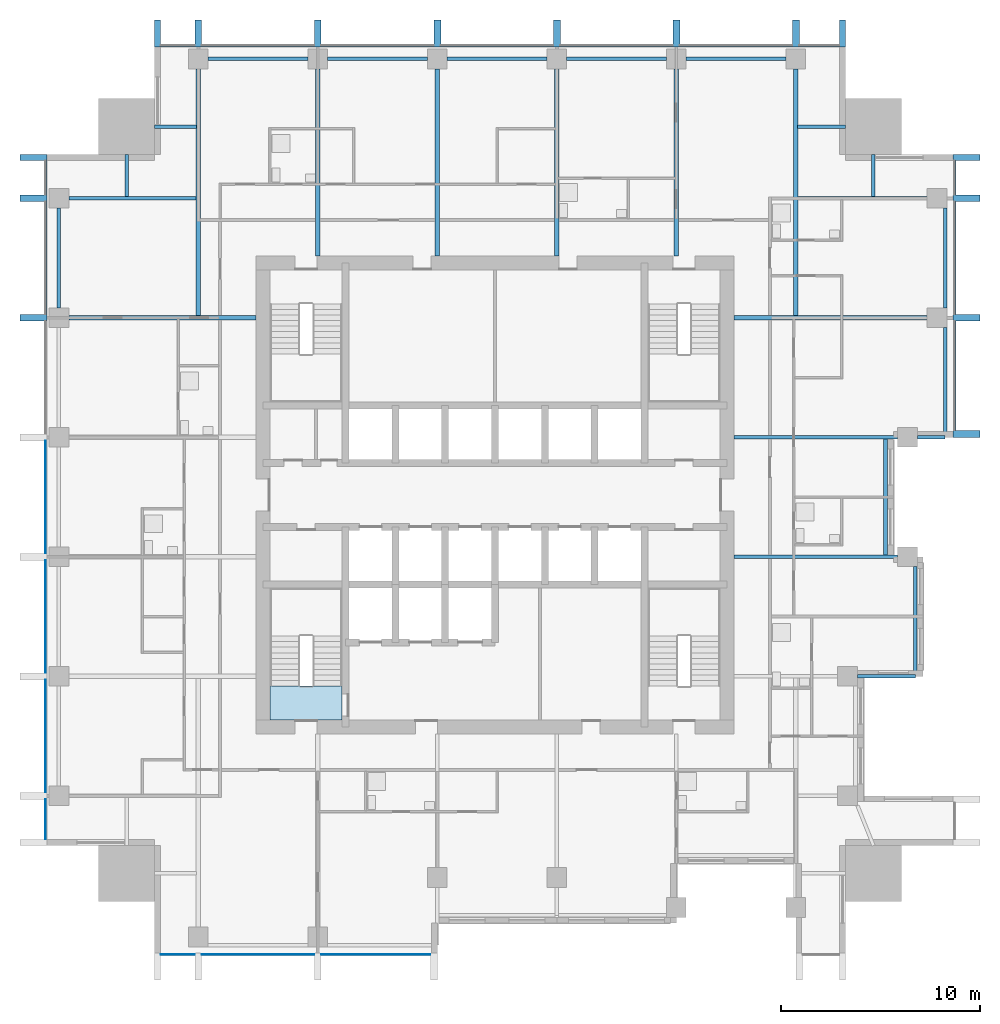
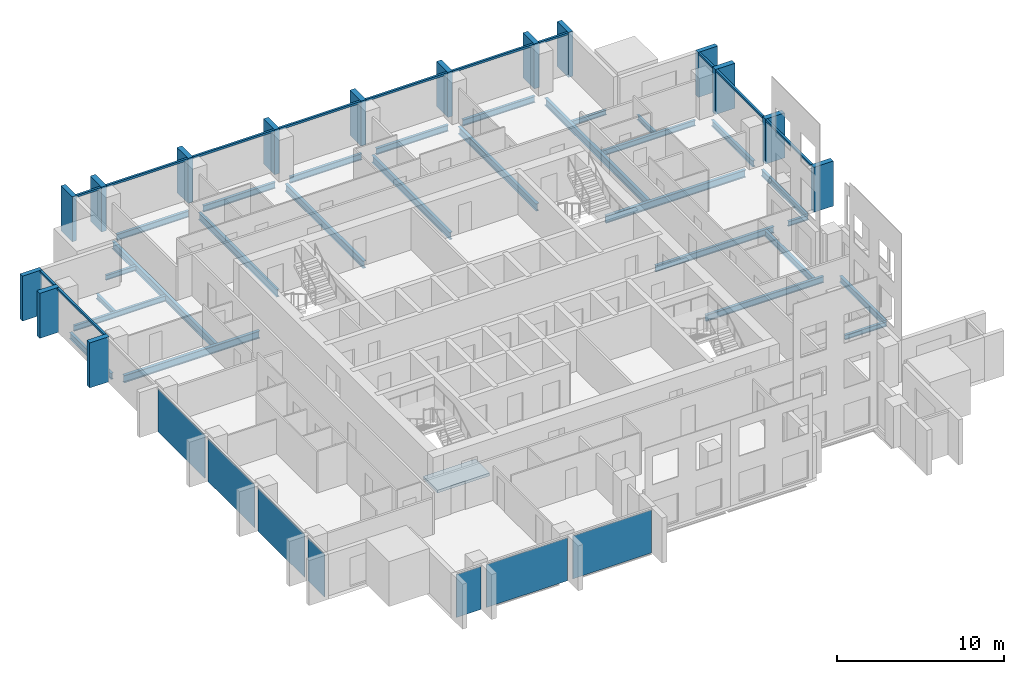
# One storey, part 2 of 11: 28 beams, 27 members, 7 plates, 1 slab, 5 elements without a shape of their own.
"""IFC4 building model written with IfcOpenShell, lengths in metres."""

from ifc_helpers import new_model, si_unit, direction, frame, origin, origin_2d, place, context, subcontext, project, spatial, polyline, rectangle, i_section, outline, extrude, material, layer, layer_set, material_profile, profile_set, type_object, element, aggregate, save


model = new_model("IFC4")

# Units and contexts
model_context = context("Model", 3, precision=1e-05, world=origin(), true_north=direction((0.0, 1.0)))
body_context = subcontext(model_context, "Body", "Model", "MODEL_VIEW")
ifc_project = project(units=[si_unit("LENGTHUNIT", "METRE"), si_unit("AREAUNIT", "SQUARE_METRE"), si_unit("VOLUMEUNIT", "CUBIC_METRE"), si_unit("PLANEANGLEUNIT", "RADIAN"), si_unit("MASSUNIT", "GRAM", prefix="KILO")], contexts=[model_context])

# Site, building, storey
site_placement = place(None, origin())
site = spatial("IfcSite", under=ifc_project, at=site_placement, CompositionType="ELEMENT")
building_placement = place(site_placement, origin())
building = spatial("IfcBuilding", under=site, at=building_placement, Name="Amberfall Residences", CompositionType="ELEMENT")
storey_placement = place(building_placement, frame((0.0, 0.0, 143.800048828125)))
storey = spatial("IfcBuildingStorey", under=building, at=storey_placement, Name="L38", CompositionType="ELEMENT", Elevation=143.800048828125)

# Curtain wall, members
ifc_material_1 = material(Name="Bronze anodised aluminium and glass", Category="aluminium")
curtain_wall_type = type_object("IfcCurtainWallType", Name="Curtain wall CW1 tower unit", PredefinedType="USERDEFINED", material=ifc_material_1)
curtain_wall_1_placement = place(storey_placement, origin())
curtain_wall_1 = element("IfcCurtainWall", 1, at=curtain_wall_1_placement, inside=storey, type_object=curtain_wall_type, Name="Curtain wall L38 E E9", ObjectType="UNITISED CURTAIN WALL", PredefinedType="USERDEFINED")
ifc_material_2 = material(Name="Bronze anodised aluminium", Category="aluminium")
ifc_material_profile_1 = material_profile(ifc_material_2, rectangle(XDim=0.14990234375, YDim=0.14990234375, at=origin_2d()), Name="CW1 transom 150 x 150 bronze")
ifc_profile_set_1 = profile_set([ifc_material_profile_1], Name="Bronze anodised aluminium")
member_type_1 = type_object("IfcMemberType", Name="CW1 transom 150 x 150 bronze", PredefinedType="USERDEFINED", material=ifc_profile_set_1)
member_1_placement = place(storey_placement, frame((97.574951171875, 48.75, 2.974853515625), z_axis=(0.0, 1.0, 0.0), x_axis=(-1.0, 0.0, 0.0)))
member_1 = element("IfcMember", 2, at=member_1_placement, type_object=member_type_1, Name="CW1 transom 1.1", ObjectType="TRANSOM", PredefinedType="USERDEFINED", context=body_context, shape_type="SweptSolid", body=[
    extrude(rectangle(XDim=0.14990234375, YDim=0.14990234375, at=origin_2d()), origin(), (0.0, 0.0, 1.0), 5.47509765625),
])
member_2_placement = place(storey_placement, frame((97.574951171875, 54.574951171875, 2.974853515625), z_axis=(0.0, 1.0, 0.0), x_axis=(-1.0, 0.0, 0.0)))
member_2 = element("IfcMember", 3, at=member_2_placement, type_object=member_type_1, Name="CW1 transom 2.1", ObjectType="TRANSOM", PredefinedType="USERDEFINED", context=body_context, shape_type="SweptSolid", body=[
    extrude(rectangle(XDim=0.14990234375, YDim=0.14990234375, at=origin_2d()), origin(), (0.0, 0.0, 1.0), 5.650146484375),
])
member_3_placement = place(storey_placement, frame((97.574951171875, 60.574951171875, 2.974853515625), z_axis=(0.0, 1.0, 0.0), x_axis=(-1.0, 0.0, 0.0)))
member_3 = element("IfcMember", 4, at=member_3_placement, type_object=member_type_1, Name="CW1 transom 3.1", ObjectType="TRANSOM", PredefinedType="USERDEFINED", context=body_context, shape_type="SweptSolid", body=[
    extrude(rectangle(XDim=0.14990234375, YDim=0.14990234375, at=origin_2d()), origin(), (0.0, 0.0, 1.0), 1.72509765625),
])

curtain_wall_2_placement = place(storey_placement, origin())
curtain_wall_2 = element("IfcCurtainWall", 5, at=curtain_wall_2_placement, inside=storey, type_object=curtain_wall_type, Name="Curtain wall L38 N N1", ObjectType="UNITISED CURTAIN WALL", PredefinedType="USERDEFINED")
member_4_placement = place(storey_placement, frame((91.800048828125, 68.074951171875, 2.974853515625), z_axis=(-1.0, 0.0, 0.0), x_axis=(0.0, -1.0, 0.0)))
member_4 = element("IfcMember", 6, at=member_4_placement, type_object=member_type_1, Name="CW1 transom 1.1", ObjectType="TRANSOM", PredefinedType="USERDEFINED", context=body_context, shape_type="SweptSolid", body=[
    extrude(rectangle(XDim=0.14990234375, YDim=0.14990234375, at=origin_2d()), origin(), (0.0, 0.0, 1.0), 2.025146484375),
])
member_5_placement = place(storey_placement, frame((89.425048828125, 68.074951171875, 2.974853515625), z_axis=(-1.0, 0.0, 0.0), x_axis=(0.0, -1.0, 0.0)))
member_5 = element("IfcMember", 7, at=member_5_placement, type_object=member_type_1, Name="CW1 transom 2.1", ObjectType="TRANSOM", PredefinedType="USERDEFINED", context=body_context, shape_type="SweptSolid", body=[
    extrude(rectangle(XDim=0.14990234375, YDim=0.14990234375, at=origin_2d()), origin(), (0.0, 0.0, 1.0), 5.650146484375),
])
member_6_placement = place(storey_placement, frame((83.425048828125, 68.074951171875, 2.974853515625), z_axis=(-1.0, 0.0, 0.0), x_axis=(0.0, -1.0, 0.0)))
member_6 = element("IfcMember", 8, at=member_6_placement, type_object=member_type_1, Name="CW1 transom 3.1", ObjectType="TRANSOM", PredefinedType="USERDEFINED", context=body_context, shape_type="SweptSolid", body=[
    extrude(rectangle(XDim=0.14990234375, YDim=0.14990234375, at=origin_2d()), origin(), (0.0, 0.0, 1.0), 5.650146484375),
])
member_7_placement = place(storey_placement, frame((77.425048828125, 68.074951171875, 2.974853515625), z_axis=(-1.0, 0.0, 0.0), x_axis=(0.0, -1.0, 0.0)))
member_7 = element("IfcMember", 9, at=member_7_placement, type_object=member_type_1, Name="CW1 transom 4.1", ObjectType="TRANSOM", PredefinedType="USERDEFINED", context=body_context, shape_type="SweptSolid", body=[
    extrude(rectangle(XDim=0.14990234375, YDim=0.14990234375, at=origin_2d()), origin(), (0.0, 0.0, 1.0), 5.650146484375),
])
member_8_placement = place(storey_placement, frame((71.425048828125, 68.074951171875, 2.974853515625), z_axis=(-1.0, 0.0, 0.0), x_axis=(0.0, -1.0, 0.0)))
member_8 = element("IfcMember", 10, at=member_8_placement, type_object=member_type_1, Name="CW1 transom 5.1", ObjectType="TRANSOM", PredefinedType="USERDEFINED", context=body_context, shape_type="SweptSolid", body=[
    extrude(rectangle(XDim=0.14990234375, YDim=0.14990234375, at=origin_2d()), origin(), (0.0, 0.0, 1.0), 5.650146484375),
])
member_9_placement = place(storey_placement, frame((65.425048828125, 68.074951171875, 2.974853515625), z_axis=(-1.0, 0.0, 0.0), x_axis=(0.0, -1.0, 0.0)))
member_9 = element("IfcMember", 11, at=member_9_placement, type_object=member_type_1, Name="CW1 transom 6.1", ObjectType="TRANSOM", PredefinedType="USERDEFINED", context=body_context, shape_type="SweptSolid", body=[
    extrude(rectangle(XDim=0.14990234375, YDim=0.14990234375, at=origin_2d()), origin(), (0.0, 0.0, 1.0), 5.650146484375),
])
member_10_placement = place(storey_placement, frame((59.425048828125, 68.074951171875, 2.974853515625), z_axis=(-1.0, 0.0, 0.0), x_axis=(0.0, -1.0, 0.0)))
member_10 = element("IfcMember", 12, at=member_10_placement, type_object=member_type_1, Name="CW1 transom 7.1", ObjectType="TRANSOM", PredefinedType="USERDEFINED", context=body_context, shape_type="SweptSolid", body=[
    extrude(rectangle(XDim=0.14990234375, YDim=0.14990234375, at=origin_2d()), origin(), (0.0, 0.0, 1.0), 1.72509765625),
])

curtain_wall_3_placement = place(storey_placement, origin())
curtain_wall_3 = element("IfcCurtainWall", 13, at=curtain_wall_3_placement, inside=storey, type_object=curtain_wall_type, Name="Curtain wall L38 W W1", ObjectType="UNITISED CURTAIN WALL", PredefinedType="USERDEFINED")
member_11_placement = place(storey_placement, frame((51.925048828125, 62.300048828125, 2.974853515625), z_axis=(0.0, -1.0, 0.0), x_axis=(1.0, 0.0, 0.0)))
member_11 = element("IfcMember", 14, at=member_11_placement, type_object=member_type_1, Name="CW1 transom 1.1", ObjectType="TRANSOM", PredefinedType="USERDEFINED", context=body_context, shape_type="SweptSolid", body=[
    extrude(rectangle(XDim=0.14990234375, YDim=0.14990234375, at=origin_2d()), origin(), (0.0, 0.0, 1.0), 1.72509765625),
])
member_12_placement = place(storey_placement, frame((51.925048828125, 60.22509765625, 2.974853515625), z_axis=(0.0, -1.0, 0.0), x_axis=(1.0, 0.0, 0.0)))
member_12 = element("IfcMember", 15, at=member_12_placement, type_object=member_type_1, Name="CW1 transom 2.1", ObjectType="TRANSOM", PredefinedType="USERDEFINED", context=body_context, shape_type="SweptSolid", body=[
    extrude(rectangle(XDim=0.14990234375, YDim=0.14990234375, at=origin_2d()), origin(), (0.0, 0.0, 1.0), 5.650146484375),
])

# Beams
ifc_material_3 = material(Name="Steel S355", Category="steel")
ifc_material_profile_2 = material_profile(ifc_material_3, i_section(OverallWidth=0.171142578125, OverallDepth=0.351318359375, WebThickness=0.007080078125, FlangeThickness=0.009765625, FilletRadius=0.01025390625, at=origin_2d()), Name="UB 356x171x45")
ifc_profile_set_2 = profile_set([ifc_material_profile_2], Name="Steel S355")
beam_type_1 = type_object("IfcBeamType", Name="Cantilever girder UB 356x171x45", PredefinedType="BEAM", material=ifc_profile_set_2)
beam_1_placement = place(storey_placement, frame((92.699951171875, 36.39990234375, -0.42578125), z_axis=(1.0, 0.0, 0.0), x_axis=(0.0, 1.0, 0.0)))
element("IfcBeam", 16, at=beam_1_placement, inside=storey, type_object=beam_type_1, Name="Cantilever girder B8 L38 19", PredefinedType="BEAM", context=body_context, shape_type="SweptSolid", body=[
    extrude(i_section(OverallWidth=0.171142578125, OverallDepth=0.351318359375, WebThickness=0.007080078125, FlangeThickness=0.009765625, FilletRadius=0.01025390625, at=origin_2d()), origin(), (0.0, 0.0, 1.0), 2.900146484375),
])
beam_2_placement = place(storey_placement, frame((95.699951171875, 48.39990234375, -0.42578125), z_axis=(1.0, 0.0, 0.0), x_axis=(0.0, 1.0, 0.0)))
element("IfcBeam", 17, at=beam_2_placement, inside=storey, type_object=beam_type_1, Name="Cantilever girder B8 L38 20", PredefinedType="BEAM", context=body_context, shape_type="SweptSolid", body=[
    extrude(i_section(OverallWidth=0.171142578125, OverallDepth=0.351318359375, WebThickness=0.007080078125, FlangeThickness=0.009765625, FilletRadius=0.01025390625, at=origin_2d()), origin(), (0.0, 0.0, 1.0), 1.400146484375),
])

# Member
ifc_material_profile_3 = material_profile(ifc_material_2, rectangle(XDim=1.35009765625, YDim=0.300048828125, at=origin_2d()), Name="Corner fin 300 x 1350 bronze")
ifc_profile_set_3 = profile_set([ifc_material_profile_3], Name="Bronze anodised aluminium")
member_type_2 = type_object("IfcMemberType", Name="Corner fin 300 x 1350 bronze", PredefinedType="MULLION", material=ifc_profile_set_3)
member_13_placement = place(storey_placement, frame((98.175048828125, 62.449951171875, -0.25), z_axis=(0.0, 0.0, 1.0), x_axis=(-1.0, 0.0, 0.0)))
member_13 = element("IfcMember", 18, at=member_13_placement, type_object=member_type_2, Name="CW FIN 4", PredefinedType="MULLION", context=body_context, shape_type="SweptSolid", body=[
    extrude(rectangle(XDim=1.35009765625, YDim=0.300048828125, at=origin_2d()), origin(), (0.0, 0.0, 1.0), 3.300048828125),
])

member_14_placement = place(storey_placement, frame((91.949951171875, 68.675048828125, -0.25), z_axis=(0.0, 0.0, 1.0), x_axis=(0.0, -1.0, 0.0)))
member_14 = element("IfcMember", 19, at=member_14_placement, type_object=member_type_2, Name="CW FIN 1", PredefinedType="MULLION", context=body_context, shape_type="SweptSolid", body=[
    extrude(rectangle(XDim=1.35009765625, YDim=0.300048828125, at=origin_2d()), origin(), (0.0, 0.0, 1.0), 3.300048828125),
])

member_15_placement = place(storey_placement, frame((57.550048828125, 68.675048828125, -0.25), z_axis=(0.0, 0.0, 1.0), x_axis=(0.0, -1.0, 0.0)))
member_15 = element("IfcMember", 20, at=member_15_placement, type_object=member_type_2, Name="CW FIN 8", PredefinedType="MULLION", context=body_context, shape_type="SweptSolid", body=[
    extrude(rectangle(XDim=1.35009765625, YDim=0.300048828125, at=origin_2d()), origin(), (0.0, 0.0, 1.0), 3.300048828125),
])

member_16_placement = place(storey_placement, frame((51.324951171875, 62.449951171875, -0.25), z_axis=(0.0, 0.0, 1.0), x_axis=(1.0, 0.0, 0.0)))
member_16 = element("IfcMember", 21, at=member_16_placement, type_object=member_type_2, Name="CW FIN 1", PredefinedType="MULLION", context=body_context, shape_type="SweptSolid", body=[
    extrude(rectangle(XDim=1.35009765625, YDim=0.300048828125, at=origin_2d()), origin(), (0.0, 0.0, 1.0), 3.300048828125),
])

# Beams
ifc_material_profile_4 = material_profile(ifc_material_3, i_section(OverallWidth=0.18994140625, OverallDepth=0.453369140625, WebThickness=0.008544921875, FlangeThickness=0.0126953125, FilletRadius=0.01025390625, at=origin_2d()), Name="UB 457x191x67")
ifc_profile_set_4 = profile_set([ifc_material_profile_4], Name="Steel S355")
beam_type_2 = type_object("IfcBeamType", Name="Edge beam UB 457x191x67", PredefinedType="SPANDREL", material=ifc_profile_set_4)
beam_3_placement = place(storey_placement, frame((95.60009765625, 36.47998046875, -0.476806640625), z_axis=(0.0, 1.0, 0.0), x_axis=(-1.0, 0.0, 0.0)))
element("IfcBeam", 22, at=beam_3_placement, inside=storey, type_object=beam_type_2, Name="Edge beam B1 L38 15", PredefinedType="SPANDREL", context=body_context, shape_type="SweptSolid", body=[
    extrude(i_section(OverallWidth=0.18994140625, OverallDepth=0.453369140625, WebThickness=0.008544921875, FlangeThickness=0.0126953125, FilletRadius=0.01025390625, at=origin_2d()), origin(), (0.0, 0.0, 1.0), 5.419921875),
])
beam_4_placement = place(storey_placement, frame((94.10009765625, 42.47998046875, -0.476806640625), z_axis=(0.0, 1.0, 0.0), x_axis=(-1.0, 0.0, 0.0)))
element("IfcBeam", 23, at=beam_4_placement, inside=storey, type_object=beam_type_2, Name="Edge beam B1 L38 16", PredefinedType="SPANDREL", context=body_context, shape_type="SweptSolid", body=[
    extrude(i_section(OverallWidth=0.18994140625, OverallDepth=0.453369140625, WebThickness=0.008544921875, FlangeThickness=0.0126953125, FilletRadius=0.01025390625, at=origin_2d()), origin(), (0.0, 0.0, 1.0), 5.840087890625),
])
beam_5_placement = place(storey_placement, frame((97.10009765625, 48.47998046875, -0.476806640625), z_axis=(0.0, 1.0, 0.0), x_axis=(-1.0, 0.0, 0.0)))
element("IfcBeam", 24, at=beam_5_placement, inside=storey, type_object=beam_type_2, Name="Edge beam B1 L38 17", PredefinedType="SPANDREL", context=body_context, shape_type="SweptSolid", body=[
    extrude(i_section(OverallWidth=0.18994140625, OverallDepth=0.453369140625, WebThickness=0.008544921875, FlangeThickness=0.0126953125, FilletRadius=0.01025390625, at=origin_2d()), origin(), (0.0, 0.0, 1.0), 5.419921875),
])
for number, where, z_axis, x_axis, name in (
    (25, (97.10009765625, 54.89990234375, -0.476806640625), (0.0, 1.0, 0.0), (-1.0, 0.0, 0.0), "Edge beam B1 L38 18"),
    (26, (60.10009765625, 67.39990234375, -0.476806640625), (1.0, 0.0, 0.0), (0.0, 1.0, 0.0), "Edge beam B1 L38 27"),
    (27, (66.10009765625, 67.39990234375, -0.476806640625), (1.0, 0.0, 0.0), (0.0, 1.0, 0.0), "Edge beam B1 L38 28"),
    (28, (72.10009765625, 67.39990234375, -0.476806640625), (1.0, 0.0, 0.0), (0.0, 1.0, 0.0), "Edge beam B1 L38 29"),
    (29, (78.10009765625, 67.39990234375, -0.476806640625), (1.0, 0.0, 0.0), (0.0, 1.0, 0.0), "Edge beam B1 L38 30"),
    (30, (84.10009765625, 67.39990234375, -0.476806640625), (1.0, 0.0, 0.0), (0.0, 1.0, 0.0), "Edge beam B1 L38 31"),
    (31, (52.60009765625, 54.89990234375, -0.476806640625), (0.0, 1.0, 0.0), (-1.0, 0.0, 0.0), "Edge beam B1 L38 42"),
):
    element("IfcBeam", number, at=place(storey_placement, frame(where, z_axis=z_axis, x_axis=x_axis)), inside=storey, type_object=beam_type_2, Name=name, PredefinedType="SPANDREL", context=body_context, shape_type="SweptSolid", body=[
        extrude(i_section(OverallWidth=0.18994140625, OverallDepth=0.453369140625, WebThickness=0.008544921875, FlangeThickness=0.0126953125, FilletRadius=0.01025390625, at=origin_2d()), origin(), (0.0, 0.0, 1.0), 5.0),
    ])

# Member
ifc_material_profile_5 = material_profile(ifc_material_2, rectangle(XDim=1.35009765625, YDim=0.35009765625, at=origin_2d()), Name="Fin 350 x 1350 bronze")
ifc_profile_set_5 = profile_set([ifc_material_profile_5], Name="Bronze anodised aluminium")
member_type_3 = type_object("IfcMemberType", Name="Fin 350 x 1350 bronze", PredefinedType="MULLION", material=ifc_profile_set_5)
member_17_placement = place(storey_placement, frame((98.175048828125, 48.574951171875, -0.25), z_axis=(0.0, 0.0, 1.0), x_axis=(-1.0, 0.0, 0.0)))
member_17 = element("IfcMember", 32, at=member_17_placement, type_object=member_type_3, Name="CW FIN 1", PredefinedType="MULLION", context=body_context, shape_type="SweptSolid", body=[
    extrude(rectangle(XDim=1.35009765625, YDim=0.35009765625, at=origin_2d()), origin(), (0.0, 0.0, 1.0), 3.300048828125),
])

member_18_placement = place(storey_placement, frame((98.175048828125, 54.39990234375, -0.25), z_axis=(0.0, 0.0, 1.0), x_axis=(-1.0, 0.0, 0.0)))
member_18 = element("IfcMember", 33, at=member_18_placement, type_object=member_type_3, Name="CW FIN 2", PredefinedType="MULLION", context=body_context, shape_type="SweptSolid", body=[
    extrude(rectangle(XDim=1.35009765625, YDim=0.35009765625, at=origin_2d()), origin(), (0.0, 0.0, 1.0), 3.300048828125),
])

member_19_placement = place(storey_placement, frame((98.175048828125, 60.39990234375, -0.25), z_axis=(0.0, 0.0, 1.0), x_axis=(-1.0, 0.0, 0.0)))
member_19 = element("IfcMember", 34, at=member_19_placement, type_object=member_type_3, Name="CW FIN 3", PredefinedType="MULLION", context=body_context, shape_type="SweptSolid", body=[
    extrude(rectangle(XDim=1.35009765625, YDim=0.35009765625, at=origin_2d()), origin(), (0.0, 0.0, 1.0), 3.300048828125),
])

aggregate(curtain_wall_1, [member_17, member_18, member_19, member_13, member_1, member_2, member_3])

member_20_placement = place(storey_placement, frame((89.60009765625, 68.675048828125, -0.25), z_axis=(0.0, 0.0, 1.0), x_axis=(0.0, -1.0, 0.0)))
member_20 = element("IfcMember", 35, at=member_20_placement, type_object=member_type_3, Name="CW FIN 2", PredefinedType="MULLION", context=body_context, shape_type="SweptSolid", body=[
    extrude(rectangle(XDim=1.35009765625, YDim=0.35009765625, at=origin_2d()), origin(), (0.0, 0.0, 1.0), 3.300048828125),
])

member_21_placement = place(storey_placement, frame((83.60009765625, 68.675048828125, -0.25), z_axis=(0.0, 0.0, 1.0), x_axis=(0.0, -1.0, 0.0)))
member_21 = element("IfcMember", 36, at=member_21_placement, type_object=member_type_3, Name="CW FIN 3", PredefinedType="MULLION", context=body_context, shape_type="SweptSolid", body=[
    extrude(rectangle(XDim=1.35009765625, YDim=0.35009765625, at=origin_2d()), origin(), (0.0, 0.0, 1.0), 3.300048828125),
])

member_22_placement = place(storey_placement, frame((77.60009765625, 68.675048828125, -0.25), z_axis=(0.0, 0.0, 1.0), x_axis=(0.0, -1.0, 0.0)))
member_22 = element("IfcMember", 37, at=member_22_placement, type_object=member_type_3, Name="CW FIN 4", PredefinedType="MULLION", context=body_context, shape_type="SweptSolid", body=[
    extrude(rectangle(XDim=1.35009765625, YDim=0.35009765625, at=origin_2d()), origin(), (0.0, 0.0, 1.0), 3.300048828125),
])

member_23_placement = place(storey_placement, frame((71.60009765625, 68.675048828125, -0.25), z_axis=(0.0, 0.0, 1.0), x_axis=(0.0, -1.0, 0.0)))
member_23 = element("IfcMember", 38, at=member_23_placement, type_object=member_type_3, Name="CW FIN 5", PredefinedType="MULLION", context=body_context, shape_type="SweptSolid", body=[
    extrude(rectangle(XDim=1.35009765625, YDim=0.35009765625, at=origin_2d()), origin(), (0.0, 0.0, 1.0), 3.300048828125),
])

member_24_placement = place(storey_placement, frame((65.60009765625, 68.675048828125, -0.25), z_axis=(0.0, 0.0, 1.0), x_axis=(0.0, -1.0, 0.0)))
member_24 = element("IfcMember", 39, at=member_24_placement, type_object=member_type_3, Name="CW FIN 6", PredefinedType="MULLION", context=body_context, shape_type="SweptSolid", body=[
    extrude(rectangle(XDim=1.35009765625, YDim=0.35009765625, at=origin_2d()), origin(), (0.0, 0.0, 1.0), 3.300048828125),
])

member_25_placement = place(storey_placement, frame((59.60009765625, 68.675048828125, -0.25), z_axis=(0.0, 0.0, 1.0), x_axis=(0.0, -1.0, 0.0)))
member_25 = element("IfcMember", 40, at=member_25_placement, type_object=member_type_3, Name="CW FIN 7", PredefinedType="MULLION", context=body_context, shape_type="SweptSolid", body=[
    extrude(rectangle(XDim=1.35009765625, YDim=0.35009765625, at=origin_2d()), origin(), (0.0, 0.0, 1.0), 3.300048828125),
])

aggregate(curtain_wall_2, [member_14, member_20, member_21, member_22, member_23, member_24, member_25, member_15, member_4, member_5, member_6, member_7, member_8, member_9, member_10])

member_26_placement = place(storey_placement, frame((51.324951171875, 60.39990234375, -0.25), z_axis=(0.0, 0.0, 1.0), x_axis=(1.0, 0.0, 0.0)))
member_26 = element("IfcMember", 41, at=member_26_placement, type_object=member_type_3, Name="CW FIN 2", PredefinedType="MULLION", context=body_context, shape_type="SweptSolid", body=[
    extrude(rectangle(XDim=1.35009765625, YDim=0.35009765625, at=origin_2d()), origin(), (0.0, 0.0, 1.0), 3.300048828125),
])

member_27_placement = place(storey_placement, frame((51.324951171875, 54.39990234375, -0.25), z_axis=(0.0, 0.0, 1.0), x_axis=(1.0, 0.0, 0.0)))
member_27 = element("IfcMember", 42, at=member_27_placement, type_object=member_type_3, Name="CW FIN 3", PredefinedType="MULLION", context=body_context, shape_type="SweptSolid", body=[
    extrude(rectangle(XDim=1.35009765625, YDim=0.35009765625, at=origin_2d()), origin(), (0.0, 0.0, 1.0), 3.300048828125),
])

# Beams
ifc_material_profile_6 = material_profile(ifc_material_3, i_section(OverallWidth=0.177734375, OverallDepth=0.402587890625, WebThickness=0.0078125, FlangeThickness=0.010986328125, FilletRadius=0.01025390625, at=origin_2d()), Name="UB 406x178x54")
ifc_profile_set_6 = profile_set([ifc_material_profile_6], Name="Steel S355")
beam_type_3 = type_object("IfcBeamType", Name="Floor girder UB 406x178x54", PredefinedType="BEAM", material=ifc_profile_set_6)
beam_6_placement = place(storey_placement, frame((96.199951171875, 60.39990234375, -0.451416015625), z_axis=(-1.0, 0.0, 0.0), x_axis=(0.0, -1.0, 0.0)))
element("IfcBeam", 43, at=beam_6_placement, inside=storey, type_object=beam_type_3, Name="Floor girder B4 L38 26", PredefinedType="BEAM", context=body_context, shape_type="SweptSolid", body=[
    extrude(i_section(OverallWidth=0.177734375, OverallDepth=0.402587890625, WebThickness=0.0078125, FlangeThickness=0.010986328125, FilletRadius=0.01025390625, at=origin_2d()), origin(), (0.0, 0.0, 1.0), 6.47998046875),
])
beam_7_placement = place(storey_placement, frame((53.10009765625, 60.39990234375, -0.451416015625), z_axis=(1.0, 0.0, 0.0), x_axis=(0.0, 1.0, 0.0)))
element("IfcBeam", 44, at=beam_7_placement, inside=storey, type_object=beam_type_3, Name="Floor girder B4 L38 48", PredefinedType="BEAM", context=body_context, shape_type="SweptSolid", body=[
    extrude(i_section(OverallWidth=0.177734375, OverallDepth=0.402587890625, WebThickness=0.0078125, FlangeThickness=0.010986328125, FilletRadius=0.01025390625, at=origin_2d()), origin(), (0.0, 0.0, 1.0), 6.3798828125),
])
ifc_material_profile_7 = material_profile(ifc_material_3, i_section(OverallWidth=0.19140625, OverallDepth=0.4599609375, WebThickness=0.010009765625, FlangeThickness=0.01611328125, FilletRadius=0.01025390625, at=origin_2d()), Name="UB 457x191x82")
ifc_profile_set_7 = profile_set([ifc_material_profile_7], Name="Steel S355")
beam_type_4 = type_object("IfcBeamType", Name="Floor girder UB 457x191x82", PredefinedType="BEAM", material=ifc_profile_set_7)
for number, where, z_axis, x_axis, name in (
    (45, (94.699951171875, 42.39990234375, -0.47998046875), (-1.0, 0.0, 0.0), (0.0, -1.0, 0.0), "Floor girder B10 L38 23"),
    (46, (94.699951171875, 48.39990234375, -0.47998046875), (-1.0, 0.0, 0.0), (0.0, -1.0, 0.0), "Floor girder B10 L38 24"),
):
    element("IfcBeam", number, at=place(storey_placement, frame(where, z_axis=z_axis, x_axis=x_axis)), inside=storey, type_object=beam_type_4, Name=name, PredefinedType="BEAM", context=body_context, shape_type="SweptSolid", body=[
        extrude(i_section(OverallWidth=0.19140625, OverallDepth=0.4599609375, WebThickness=0.010009765625, FlangeThickness=0.01611328125, FilletRadius=0.01025390625, at=origin_2d()), origin(), (0.0, 0.0, 1.0), 8.199951171875),
    ])
ifc_material_profile_8 = material_profile(ifc_material_3, i_section(OverallWidth=0.210693359375, OverallDepth=0.53955078125, WebThickness=0.01171875, FlangeThickness=0.018798828125, FilletRadius=0.0126953125, at=origin_2d()), Name="UB 533x210x109")
ifc_profile_set_8 = profile_set([ifc_material_profile_8], Name="Steel S355")
beam_type_5 = type_object("IfcBeamType", Name="Floor girder UB 533x210x109", PredefinedType="BEAM", material=ifc_profile_set_8)
for number, where, z_axis, x_axis, name in (
    (47, (59.60009765625, 66.89990234375, -0.519775390625), (0.0, -1.0, 0.0), (1.0, 0.0, 0.0), "Floor girder B2 L38 32"),
    (48, (89.60009765625, 66.89990234375, -0.519775390625), (0.0, -1.0, 0.0), (1.0, 0.0, 0.0), "Floor girder B2 L38 37"),
):
    element("IfcBeam", number, at=place(storey_placement, frame(where, z_axis=z_axis, x_axis=x_axis)), inside=storey, type_object=beam_type_5, Name=name, PredefinedType="BEAM", context=body_context, shape_type="SweptSolid", body=[
        extrude(i_section(OverallWidth=0.210693359375, OverallDepth=0.53955078125, WebThickness=0.01171875, FlangeThickness=0.018798828125, FilletRadius=0.0126953125, at=origin_2d()), origin(), (0.0, 0.0, 1.0), 12.400390625),
    ])
ifc_material_profile_9 = material_profile(ifc_material_3, i_section(OverallWidth=0.209228515625, OverallDepth=0.533203125, WebThickness=0.010009765625, FlangeThickness=0.015625, FilletRadius=0.0126953125, at=origin_2d()), Name="UB 533x210x92")
ifc_profile_set_9 = profile_set([ifc_material_profile_9], Name="Steel S355")
beam_type_6 = type_object("IfcBeamType", Name="Floor girder UB 533x210x92", PredefinedType="BEAM", material=ifc_profile_set_9)
beam_8_placement = place(storey_placement, frame((96.199951171875, 54.39990234375, -0.5166015625), z_axis=(-1.0, 0.0, 0.0), x_axis=(0.0, -1.0, 0.0)))
element("IfcBeam", 49, at=beam_8_placement, inside=storey, type_object=beam_type_6, Name="Floor girder B3 L38 25", PredefinedType="BEAM", context=body_context, shape_type="SweptSolid", body=[
    extrude(i_section(OverallWidth=0.209228515625, OverallDepth=0.533203125, WebThickness=0.010009765625, FlangeThickness=0.015625, FilletRadius=0.0126953125, at=origin_2d()), origin(), (0.0, 0.0, 1.0), 9.699951171875),
])
for number, where, z_axis, x_axis, name in (
    (50, (65.60009765625, 66.89990234375, -0.5166015625), (0.0, -1.0, 0.0), (1.0, 0.0, 0.0), "Floor girder B3 L38 33"),
    (51, (71.60009765625, 66.89990234375, -0.5166015625), (0.0, -1.0, 0.0), (1.0, 0.0, 0.0), "Floor girder B3 L38 34"),
    (52, (77.60009765625, 66.89990234375, -0.5166015625), (0.0, -1.0, 0.0), (1.0, 0.0, 0.0), "Floor girder B3 L38 35"),
    (53, (83.60009765625, 66.89990234375, -0.5166015625), (0.0, -1.0, 0.0), (1.0, 0.0, 0.0), "Floor girder B3 L38 36"),
    (54, (53.10009765625, 54.39990234375, -0.5166015625), (1.0, 0.0, 0.0), (0.0, 1.0, 0.0), "Floor girder B3 L38 47"),
):
    element("IfcBeam", number, at=place(storey_placement, frame(where, z_axis=z_axis, x_axis=x_axis)), inside=storey, type_object=beam_type_6, Name=name, PredefinedType="BEAM", context=body_context, shape_type="SweptSolid", body=[
        extrude(i_section(OverallWidth=0.209228515625, OverallDepth=0.533203125, WebThickness=0.010009765625, FlangeThickness=0.015625, FilletRadius=0.0126953125, at=origin_2d()), origin(), (0.0, 0.0, 1.0), 9.39990234375),
    ])
ifc_material_profile_10 = material_profile(ifc_material_3, i_section(OverallWidth=0.171142578125, OverallDepth=0.351318359375, WebThickness=0.007080078125, FlangeThickness=0.009765625, FilletRadius=0.01025390625, at=origin_2d()), Name="UB 356x171x45")
ifc_profile_set_10 = profile_set([ifc_material_profile_10], Name="Steel S355")
beam_type_7 = type_object("IfcBeamType", Name="Link beam UB 356x171x45", PredefinedType="BEAM", material=ifc_profile_set_10)
beam_9_placement = place(storey_placement, frame((92.10009765625, 64.0, -0.42578125), z_axis=(-1.0, 0.0, 0.0), x_axis=(0.0, -1.0, 0.0)))
element("IfcBeam", 55, at=beam_9_placement, inside=storey, type_object=beam_type_7, Name="Link beam B7 L38 53", PredefinedType="BEAM", context=body_context, shape_type="SweptSolid", body=[
    extrude(i_section(OverallWidth=0.171142578125, OverallDepth=0.351318359375, WebThickness=0.007080078125, FlangeThickness=0.009765625, FilletRadius=0.01025390625, at=origin_2d()), origin(), (0.0, 0.0, 1.0), 2.40478515625),
])
beam_10_placement = place(storey_placement, frame((93.5, 62.60009765625, -0.42578125), z_axis=(0.0, -1.0, 0.0), x_axis=(1.0, 0.0, 0.0)))
element("IfcBeam", 56, at=beam_10_placement, inside=storey, type_object=beam_type_7, Name="Link beam B7 L38 54", PredefinedType="BEAM", context=body_context, shape_type="SweptSolid", body=[
    extrude(i_section(OverallWidth=0.171142578125, OverallDepth=0.351318359375, WebThickness=0.007080078125, FlangeThickness=0.009765625, FilletRadius=0.01025390625, at=origin_2d()), origin(), (0.0, 0.0, 1.0), 2.12109375),
])
beam_11_placement = place(storey_placement, frame((57.39990234375, 64.0, -0.42578125), z_axis=(1.0, 0.0, 0.0), x_axis=(0.0, 1.0, 0.0)))
element("IfcBeam", 57, at=beam_11_placement, inside=storey, type_object=beam_type_7, Name="Link beam B7 L38 55", PredefinedType="BEAM", context=body_context, shape_type="SweptSolid", body=[
    extrude(i_section(OverallWidth=0.171142578125, OverallDepth=0.351318359375, WebThickness=0.007080078125, FlangeThickness=0.009765625, FilletRadius=0.01025390625, at=origin_2d()), origin(), (0.0, 0.0, 1.0), 2.104736328125),
])
beam_12_placement = place(storey_placement, frame((56.0, 62.60009765625, -0.42578125), z_axis=(0.0, -1.0, 0.0), x_axis=(1.0, 0.0, 0.0)))
element("IfcBeam", 58, at=beam_12_placement, inside=storey, type_object=beam_type_7, Name="Link beam B7 L38 56", PredefinedType="BEAM", context=body_context, shape_type="SweptSolid", body=[
    extrude(i_section(OverallWidth=0.171142578125, OverallDepth=0.351318359375, WebThickness=0.007080078125, FlangeThickness=0.009765625, FilletRadius=0.01025390625, at=origin_2d()), origin(), (0.0, 0.0, 1.0), 2.12109375),
])

# Curtain wall, plates
curtain_wall_4_placement = place(storey_placement, origin())
curtain_wall_4 = element("IfcCurtainWall", 59, at=curtain_wall_4_placement, inside=storey, type_object=curtain_wall_type, Name="Curtain wall L38 S S1", ObjectType="UNITISED CURTAIN WALL", PredefinedType="USERDEFINED")
ifc_material_4 = material(Name="Tinted double glazed unit", Category="glass")
ifc_layer_1 = layer(ifc_material_4, 0.035888671875)
ifc_layer_set_1 = layer_set([ifc_layer_1], Name="CW1 panel 36 glazing")
plate_type = type_object("IfcPlateType", Name="CW1 panel 36 glazing", PredefinedType="CURTAIN_PANEL", material=ifc_layer_set_1)
plate_1_placement = place(storey_placement, frame((58.5625, 22.425048828125, -0.25), z_axis=(0.0, 0.0, 1.0), x_axis=(1.0, 0.0, 0.0)))
plate_1 = element("IfcPlate", 60, at=plate_1_placement, type_object=plate_type, Name="CW1 panel 1.1", PredefinedType="CURTAIN_PANEL", context=body_context, shape_type="SweptSolid", body=[
    extrude(rectangle(XDim=1.700927734375, YDim=0.035888671875, at=origin_2d()), origin(), (0.0, 0.0, 1.0), 3.14990234375),
])
plate_2_placement = place(storey_placement, frame((62.60009765625, 22.425048828125, -0.25), z_axis=(0.0, 0.0, 1.0), x_axis=(1.0, 0.0, 0.0)))
plate_2 = element("IfcPlate", 61, at=plate_2_placement, type_object=plate_type, Name="CW1 panel 2.1", PredefinedType="CURTAIN_PANEL", context=body_context, shape_type="SweptSolid", body=[
    extrude(rectangle(XDim=5.6259765625, YDim=0.035888671875, at=origin_2d()), origin(), (0.0, 0.0, 1.0), 3.14990234375),
])
plate_3_placement = place(storey_placement, frame((68.512451171875, 22.425048828125, -0.25), z_axis=(0.0, 0.0, 1.0), x_axis=(1.0, 0.0, 0.0)))
plate_3 = element("IfcPlate", 62, at=plate_3_placement, type_object=plate_type, Name="CW1 panel 3.1", PredefinedType="CURTAIN_PANEL", context=body_context, shape_type="SweptSolid", body=[
    extrude(rectangle(XDim=5.450927734375, YDim=0.035888671875, at=origin_2d()), origin(), (0.0, 0.0, 1.0), 3.14990234375),
])
aggregate(curtain_wall_4, [plate_1, plate_2, plate_3])

# Plate
plate_4_placement = place(storey_placement, frame((51.925048828125, 45.39990234375, -0.25), z_axis=(0.0, 0.0, 1.0), x_axis=(0.0, -1.0, 0.0)))
plate_4 = element("IfcPlate", 63, at=plate_4_placement, type_object=plate_type, Name="CW1 panel 4.1", PredefinedType="CURTAIN_PANEL", context=body_context, shape_type="SweptSolid", body=[
    extrude(rectangle(XDim=5.6259765625, YDim=0.035888671875, at=origin_2d()), origin(), (0.0, 0.0, 1.0), 3.14990234375),
])

plate_5_placement = place(storey_placement, frame((51.925048828125, 39.39990234375, -0.25), z_axis=(0.0, 0.0, 1.0), x_axis=(0.0, -1.0, 0.0)))
plate_5 = element("IfcPlate", 64, at=plate_5_placement, type_object=plate_type, Name="CW1 panel 5.1", PredefinedType="CURTAIN_PANEL", context=body_context, shape_type="SweptSolid", body=[
    extrude(rectangle(XDim=5.6259765625, YDim=0.035888671875, at=origin_2d()), origin(), (0.0, 0.0, 1.0), 3.14990234375),
])

plate_6_placement = place(storey_placement, frame((51.925048828125, 33.39990234375, -0.25), z_axis=(0.0, 0.0, 1.0), x_axis=(0.0, -1.0, 0.0)))
plate_6 = element("IfcPlate", 65, at=plate_6_placement, type_object=plate_type, Name="CW1 panel 6.1", PredefinedType="CURTAIN_PANEL", context=body_context, shape_type="SweptSolid", body=[
    extrude(rectangle(XDim=5.6259765625, YDim=0.035888671875, at=origin_2d()), origin(), (0.0, 0.0, 1.0), 3.14990234375),
])

plate_7_placement = place(storey_placement, frame((51.925048828125, 29.21240234375, -0.25), z_axis=(0.0, 0.0, 1.0), x_axis=(0.0, -1.0, 0.0)))
plate_7 = element("IfcPlate", 66, at=plate_7_placement, type_object=plate_type, Name="CW1 panel 7.1", PredefinedType="CURTAIN_PANEL", context=body_context, shape_type="SweptSolid", body=[
    extrude(rectangle(XDim=2.0009765625, YDim=0.035888671875, at=origin_2d()), origin(), (0.0, 0.0, 1.0), 3.14990234375),
])

aggregate(curtain_wall_3, [member_16, member_26, member_27, member_11, member_12, plate_4, plate_5, plate_6, plate_7])

# Stair, slab
ifc_material_5 = material(Name="Concrete C40", Category="concrete")
stair_type = type_object("IfcStairType", Name="Exit stair 20 risers 165.0 mm", PredefinedType="HALF_TURN_STAIR", material=ifc_material_5)
stair_placement = place(storey_placement, origin())
stair = element("IfcStair", 67, at=stair_placement, inside=storey, type_object=stair_type, Name="L38 Exit stair 1", PredefinedType="HALF_TURN_STAIR")
ifc_layer_2 = layer(ifc_material_5, 0.199951171875)
ifc_layer_set_2 = layer_set([ifc_layer_2], Name="Stair landing 200")
slab_type = type_object("IfcSlabType", Name="Stair landing 200", PredefinedType="LANDING", material=ifc_layer_set_2)
slab_placement = place(storey_placement, frame((0.0, 0.0, -0.199951171875)))
slab = element("IfcSlab", 68, at=slab_placement, type_object=slab_type, Name="ST3 landing 2", PredefinedType="LANDING", context=body_context, shape_type="SweptSolid", body=[
    extrude(outline(polyline([(66.824951171875, 34.199951171875), (66.824951171875, 35.89990234375), (63.199951171875, 35.89990234375), (63.199951171875, 34.199951171875), (66.824951171875, 34.199951171875)])), origin(), (0.0, 0.0, 1.0), 0.199951171875),
])
aggregate(stair, [slab])

save(model, "model.ifc")
